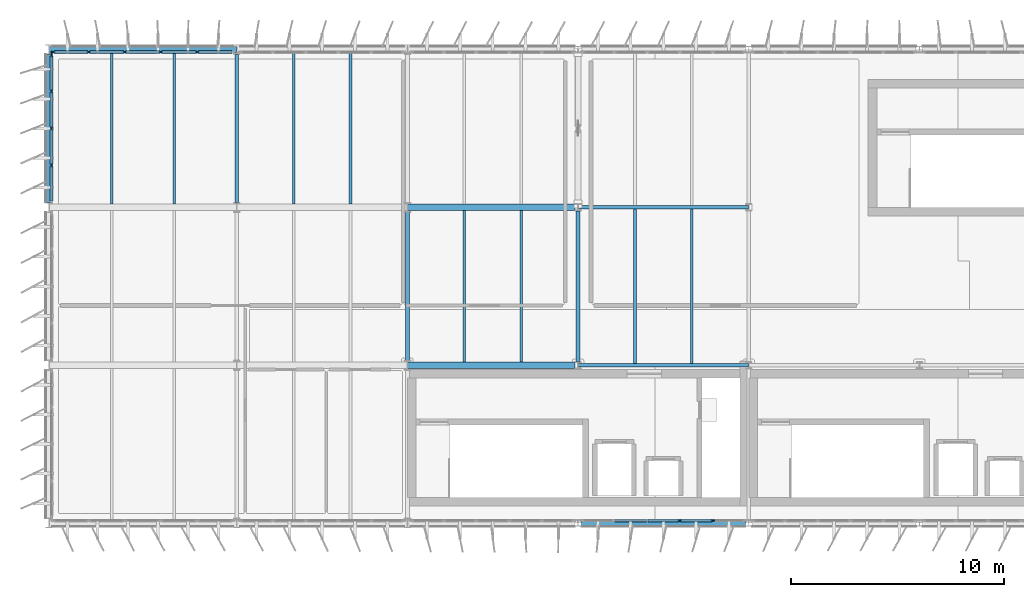
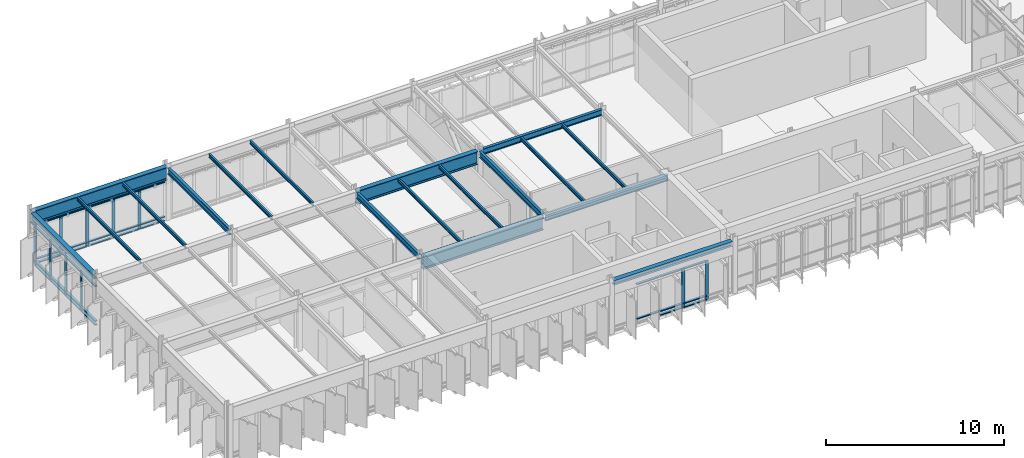
# One storey, part 5 of 20: 46 members, 18 beams, 3 elements without a shape of their own.
"""IFC4 building model written with IfcOpenShell, lengths in metres."""

from ifc_helpers import new_model, si_unit, direction, frame, origin, origin_2d, place, context, subcontext, project, spatial, rectangle, i_section, extrude, material, layer, layer_set, material_profile, profile_set, type_object, element, aggregate, save


model = new_model("IFC4")

# Units and contexts
model_context = context("Model", 3, precision=1e-05, world=origin(), true_north=direction((0.0, 1.0)))
body_context = subcontext(model_context, "Body", "Model", "MODEL_VIEW")
ifc_project = project(units=[si_unit("LENGTHUNIT", "METRE"), si_unit("AREAUNIT", "SQUARE_METRE"), si_unit("VOLUMEUNIT", "CUBIC_METRE"), si_unit("PLANEANGLEUNIT", "RADIAN"), si_unit("MASSUNIT", "GRAM", prefix="KILO")], contexts=[model_context])

# Site, building, storey
site_placement = place(None, origin())
site = spatial("IfcSite", under=ifc_project, at=site_placement, CompositionType="ELEMENT")
building_placement = place(site_placement, origin())
building = spatial("IfcBuilding", under=site, at=building_placement, Name="Valkorina Park Police Headquarters", CompositionType="ELEMENT")
storey_placement = place(building_placement, frame((0.0, 0.0, 31.10009765625)))
storey = spatial("IfcBuildingStorey", under=building, at=storey_placement, Name="L08", CompositionType="ELEMENT", Elevation=31.10009765625)

# Beams
ifc_material_1 = material(Name="Steel S355", Category="steel")
ifc_material_profile_1 = material_profile(ifc_material_1, i_section(OverallWidth=0.300048828125, OverallDepth=0.330078125, WebThickness=0.009521484375, FlangeThickness=0.0166015625, FilletRadius=0.027099609375, at=origin_2d()), Name="HEA 340")
ifc_profile_set_1 = profile_set([ifc_material_profile_1], Name="Steel S355")
beam_type_1 = type_object("IfcBeamType", Name="BM-S355-HEA340-SPN", PredefinedType="SPANDREL", material=ifc_profile_set_1)
beam_1_placement = place(storey_placement, frame((24.949951171875, 37.0, 3.454833984375), z_axis=(1.0, 0.0, 0.0), x_axis=(0.0, 1.0, 0.0)))
element("IfcBeam", 1, at=beam_1_placement, inside=storey, type_object=beam_type_1, Name="L08 Framing Beam 2796", PredefinedType="SPANDREL", context=body_context, shape_type="SweptSolid", body=[
    extrude(i_section(OverallWidth=0.300048828125, OverallDepth=0.330078125, WebThickness=0.009521484375, FlangeThickness=0.0166015625, FilletRadius=0.027099609375, at=origin_2d()), origin(), (0.0, 0.0, 1.0), 7.699951171875),
])
beam_2_placement = place(storey_placement, frame((0.0, 52.02490234375, 3.454833984375), z_axis=(0.0, 1.0, 0.0), x_axis=(-1.0, 0.0, 0.0)))
element("IfcBeam", 2, at=beam_2_placement, inside=storey, type_object=beam_type_1, Name="L08 Framing Beam 2824", PredefinedType="SPANDREL", context=body_context, shape_type="SweptSolid", body=[
    extrude(i_section(OverallWidth=0.300048828125, OverallDepth=0.330078125, WebThickness=0.009521484375, FlangeThickness=0.0166015625, FilletRadius=0.027099609375, at=origin_2d()), origin(), (0.0, 0.0, 1.0), 6.9501953125),
])
ifc_material_profile_2 = material_profile(ifc_material_1, i_section(OverallWidth=0.300048828125, OverallDepth=0.89990234375, WebThickness=0.0185546875, FlangeThickness=0.034912109375, FilletRadius=0.030029296875, at=origin_2d()), Name="HEB 900")
ifc_profile_set_2 = profile_set([ifc_material_profile_2], Name="Steel S355")
beam_type_2 = type_object("IfcBeamType", Name="BM-S355-HEB900-BM", PredefinedType="BEAM", material=ifc_profile_set_2)
for number, where, z_axis, x_axis, name in (
    (3, (16.806884765625, 44.39990234375, 3.169921875), (1.0, 0.0, 0.0), (0.0, 1.0, 0.0), "L08 Framing Beam 2802"),
    (4, (16.806884765625, 51.800048828125, 3.169921875), (1.0, 0.0, 0.0), (0.0, 1.0, 0.0), "L08 Framing Beam 2809"),
):
    element("IfcBeam", number, at=place(storey_placement, frame(where, z_axis=z_axis, x_axis=x_axis)), inside=storey, type_object=beam_type_2, Name=name, PredefinedType="BEAM", context=body_context, shape_type="SweptSolid", body=[
        extrude(i_section(OverallWidth=0.300048828125, OverallDepth=0.89990234375, WebThickness=0.0185546875, FlangeThickness=0.034912109375, FilletRadius=0.030029296875, at=origin_2d()), origin(), (0.0, 0.0, 1.0), 7.843017578125),
    ])
ifc_material_profile_3 = material_profile(ifc_material_1, i_section(OverallWidth=0.300048828125, OverallDepth=0.89990234375, WebThickness=0.0185546875, FlangeThickness=0.034912109375, FilletRadius=0.030029296875, at=origin_2d()), Name="HEB 900")
ifc_profile_set_3 = profile_set([ifc_material_profile_3], Name="Steel S355")
beam_type_3 = type_object("IfcBeamType", Name="BM-S355-HEB900-EXT", PredefinedType="SPANDREL", material=ifc_profile_set_3)
beam_3_placement = place(storey_placement, frame((0.007080078125, 59.199951171875, 3.169921875), z_axis=(1.0, 0.0, 0.0), x_axis=(0.0, 1.0, 0.0)))
element("IfcBeam", 5, at=beam_3_placement, inside=storey, type_object=beam_type_3, Name="L08 Framing Beam 2811", PredefinedType="SPANDREL", context=body_context, shape_type="SweptSolid", body=[
    extrude(i_section(OverallWidth=0.300048828125, OverallDepth=0.89990234375, WebThickness=0.0185546875, FlangeThickness=0.034912109375, FilletRadius=0.030029296875, at=origin_2d()), origin(), (0.0, 0.0, 1.0), 8.785888671875),
])
ifc_material_profile_4 = material_profile(ifc_material_1, i_section(OverallWidth=0.1201171875, OverallDepth=0.239990234375, WebThickness=0.006103515625, FlangeThickness=0.009765625, FilletRadius=0.014892578125, at=origin_2d()), Name="IPE 240")
ifc_profile_set_4 = profile_set([ifc_material_profile_4], Name="Steel S355")
beam_type_4 = type_object("IfcBeamType", Name="BM-S355-IPE240-JST", PredefinedType="JOIST", material=ifc_profile_set_4)
for number, where, z_axis, x_axis, name in (
    (6, (2.933349609375, 51.949951171875, 3.5), (0.0, 1.0, 0.0), (-1.0, 0.0, 0.0), "L08 Framing Beam 2825"),
    (7, (5.86669921875, 51.949951171875, 3.5), (0.0, 1.0, 0.0), (-1.0, 0.0, 0.0), "L08 Framing Beam 2826"),
    (8, (11.466796875, 51.949951171875, 3.5), (0.0, 1.0, 0.0), (-1.0, 0.0, 0.0), "L08 Framing Beam 2834"),
    (9, (14.13330078125, 51.949951171875, 3.5), (0.0, 1.0, 0.0), (-1.0, 0.0, 0.0), "L08 Framing Beam 2835"),
):
    element("IfcBeam", number, at=place(storey_placement, frame(where, z_axis=z_axis, x_axis=x_axis)), inside=storey, type_object=beam_type_4, Name=name, PredefinedType="JOIST", context=body_context, shape_type="SweptSolid", body=[
        extrude(i_section(OverallWidth=0.1201171875, OverallDepth=0.239990234375, WebThickness=0.006103515625, FlangeThickness=0.009765625, FilletRadius=0.014892578125, at=origin_2d()), origin(), (0.0, 0.0, 1.0), 7.10009765625),
    ])
for number, where, z_axis, x_axis, name in (
    (10, (19.466796875, 44.550048828125, 3.5), (0.0, 1.0, 0.0), (-1.0, 0.0, 0.0), "L08 Framing Beam 2838"),
    (11, (22.13330078125, 44.550048828125, 3.5), (0.0, 1.0, 0.0), (-1.0, 0.0, 0.0), "L08 Framing Beam 2839"),
):
    element("IfcBeam", number, at=place(storey_placement, frame(where, z_axis=z_axis, x_axis=x_axis)), inside=storey, type_object=beam_type_4, Name=name, PredefinedType="JOIST", context=body_context, shape_type="SweptSolid", body=[
        extrude(i_section(OverallWidth=0.1201171875, OverallDepth=0.239990234375, WebThickness=0.006103515625, FlangeThickness=0.009765625, FilletRadius=0.014892578125, at=origin_2d()), origin(), (0.0, 0.0, 1.0), 7.099853515625),
    ])
for number, where, z_axis, x_axis, name in (
    (12, (27.466796875, 44.489990234375, 3.5), (0.0, 1.0, 0.0), (-1.0, 0.0, 0.0), "L08 Framing Beam 2844"),
    (13, (30.13330078125, 44.489990234375, 3.5), (0.0, 1.0, 0.0), (-1.0, 0.0, 0.0), "L08 Framing Beam 2845"),
):
    element("IfcBeam", number, at=place(storey_placement, frame(where, z_axis=z_axis, x_axis=x_axis)), inside=storey, type_object=beam_type_4, Name=name, PredefinedType="JOIST", context=body_context, shape_type="SweptSolid", body=[
        extrude(i_section(OverallWidth=0.1201171875, OverallDepth=0.239990234375, WebThickness=0.006103515625, FlangeThickness=0.009765625, FilletRadius=0.014892578125, at=origin_2d()), origin(), (0.0, 0.0, 1.0), 7.219970703125),
    ])
ifc_material_profile_5 = material_profile(ifc_material_1, i_section(OverallWidth=0.179931640625, OverallDepth=0.39990234375, WebThickness=0.008544921875, FlangeThickness=0.013427734375, FilletRadius=0.02099609375, at=origin_2d()), Name="IPE 400")
ifc_profile_set_5 = profile_set([ifc_material_profile_5], Name="Steel S355")
beam_type_5 = type_object("IfcBeamType", Name="BM-S355-IPE400-BM", PredefinedType="BEAM", material=ifc_profile_set_5)
for number, where, z_axis, x_axis, name in (
    (14, (24.8046875, 44.39990234375, 3.419921875), (1.0, 0.0, 0.0), (0.0, 1.0, 0.0), "L08 Framing Beam 2803"),
    (15, (24.8046875, 51.800048828125, 3.419921875), (1.0, 0.0, 0.0), (0.0, 1.0, 0.0), "L08 Framing Beam 2810"),
):
    element("IfcBeam", number, at=place(storey_placement, frame(where, z_axis=z_axis, x_axis=x_axis)), inside=storey, type_object=beam_type_5, Name=name, PredefinedType="BEAM", context=body_context, shape_type="SweptSolid", body=[
        extrude(i_section(OverallWidth=0.179931640625, OverallDepth=0.39990234375, WebThickness=0.008544921875, FlangeThickness=0.013427734375, FilletRadius=0.02099609375, at=origin_2d()), origin(), (0.0, 0.0, 1.0), 7.99072265625),
    ])
beam_4_placement = place(storey_placement, frame((8.800048828125, 52.02490234375, 3.419921875), z_axis=(0.0, 1.0, 0.0), x_axis=(-1.0, 0.0, 0.0)))
element("IfcBeam", 16, at=beam_4_placement, inside=storey, type_object=beam_type_5, Name="L08 Framing Beam 2833", PredefinedType="BEAM", context=body_context, shape_type="SweptSolid", body=[
    extrude(i_section(OverallWidth=0.179931640625, OverallDepth=0.39990234375, WebThickness=0.008544921875, FlangeThickness=0.013427734375, FilletRadius=0.02099609375, at=origin_2d()), origin(), (0.0, 0.0, 1.0), 6.9501953125),
])
beam_5_placement = place(storey_placement, frame((16.800048828125, 44.625, 3.419921875), z_axis=(0.0, 1.0, 0.0), x_axis=(-1.0, 0.0, 0.0)))
element("IfcBeam", 17, at=beam_5_placement, inside=storey, type_object=beam_type_5, Name="L08 Framing Beam 2837", PredefinedType="BEAM", context=body_context, shape_type="SweptSolid", body=[
    extrude(i_section(OverallWidth=0.179931640625, OverallDepth=0.39990234375, WebThickness=0.008544921875, FlangeThickness=0.013427734375, FilletRadius=0.02099609375, at=origin_2d()), origin(), (0.0, 0.0, 1.0), 6.949951171875),
])
beam_6_placement = place(storey_placement, frame((24.800048828125, 44.56494140625, 3.419921875), z_axis=(0.0, 1.0, 0.0), x_axis=(-1.0, 0.0, 0.0)))
element("IfcBeam", 18, at=beam_6_placement, inside=storey, type_object=beam_type_5, Name="L08 Framing Beam 2843", PredefinedType="BEAM", context=body_context, shape_type="SweptSolid", body=[
    extrude(i_section(OverallWidth=0.179931640625, OverallDepth=0.39990234375, WebThickness=0.008544921875, FlangeThickness=0.013427734375, FilletRadius=0.02099609375, at=origin_2d()), origin(), (0.0, 0.0, 1.0), 7.070068359375),
])

# Curtain wall, members
ifc_material_2 = material(Name="Thermally broken aluminium AW-6060", Category="aluminium")
ifc_layer_1 = layer(ifc_material_2, 0.18994140625)
ifc_layer_set_1 = layer_set([ifc_layer_1], Name="Thermally broken aluminium AW-6060")
curtain_wall_type_1 = type_object("IfcCurtainWallType", Name="CW-V5-7680x2710", PredefinedType="NOTDEFINED", material=ifc_layer_set_1)
curtain_wall_1_placement = place(storey_placement, origin())
curtain_wall_1 = element("IfcCurtainWall", 19, at=curtain_wall_1_placement, inside=storey, type_object=curtain_wall_type_1, Name="L08 Unitised Curtain Wall 159", PredefinedType="NOTDEFINED")
ifc_material_profile_6 = material_profile(ifc_material_2, rectangle(XDim=0.070068359375, YDim=0.18994140625, at=origin_2d()), Name="CWM-02 70x190")
ifc_profile_set_6 = profile_set([ifc_material_profile_6], Name="Thermally broken aluminium AW-6060")
member_type_1 = type_object("IfcMemberType", Name="CWM-70x190", PredefinedType="MULLION", material=ifc_profile_set_6)
member_1_placement = place(storey_placement, frame((31.10400390625, 37.1201171875, 0.0), z_axis=(0.0, 0.0, 1.0), x_axis=(0.0, -1.0, 0.0)))
member_1 = element("IfcMember", 20, at=member_1_placement, type_object=member_type_1, Name="CW-V5-768-271 mullion 2", PredefinedType="MULLION", context=body_context, shape_type="SweptSolid", body=[
    extrude(rectangle(XDim=0.070068359375, YDim=0.18994140625, at=origin_2d()), origin(), (0.0, 0.0, 1.0), 2.7099609375),
])
member_2_placement = place(storey_placement, frame((29.568115234375, 37.1201171875, 0.0), z_axis=(0.0, 0.0, 1.0), x_axis=(0.0, -1.0, 0.0)))
member_2 = element("IfcMember", 21, at=member_2_placement, type_object=member_type_1, Name="CW-V5-768-271 mullion 3", PredefinedType="MULLION", context=body_context, shape_type="SweptSolid", body=[
    extrude(rectangle(XDim=0.070068359375, YDim=0.18994140625, at=origin_2d()), origin(), (0.0, 0.0, 1.0), 2.7099609375),
])

ifc_layer_2 = layer(ifc_material_2, 0.18994140625)
ifc_layer_set_2 = layer_set([ifc_layer_2], Name="Thermally broken aluminium AW-6060")
curtain_wall_type_2 = type_object("IfcCurtainWallType", Name="CW-V5-6930x2710", PredefinedType="NOTDEFINED", material=ifc_layer_set_2)
curtain_wall_2_placement = place(storey_placement, origin())
curtain_wall_2 = element("IfcCurtainWall", 22, at=curtain_wall_2_placement, inside=storey, type_object=curtain_wall_type_2, Name="L08 Unitised Curtain Wall 165", PredefinedType="NOTDEFINED")
member_3_placement = place(storey_placement, frame((0.1201171875, 53.767578125, 0.0), z_axis=(0.0, 0.0, 1.0), x_axis=(-1.0, 0.0, 0.0)))
member_3 = element("IfcMember", 23, at=member_3_placement, type_object=member_type_1, Name="CW-V5-693-271 mullion 2", PredefinedType="MULLION", context=body_context, shape_type="SweptSolid", body=[
    extrude(rectangle(XDim=0.070068359375, YDim=0.18994140625, at=origin_2d()), origin(), (0.0, 0.0, 1.0), 2.7099609375),
])
member_4_placement = place(storey_placement, frame((0.1201171875, 55.5, 0.0), z_axis=(0.0, 0.0, 1.0), x_axis=(-1.0, 0.0, 0.0)))
member_4 = element("IfcMember", 24, at=member_4_placement, type_object=member_type_1, Name="CW-V5-693-271 mullion 3", PredefinedType="MULLION", context=body_context, shape_type="SweptSolid", body=[
    extrude(rectangle(XDim=0.070068359375, YDim=0.18994140625, at=origin_2d()), origin(), (0.0, 0.0, 1.0), 2.7099609375),
])
member_5_placement = place(storey_placement, frame((0.1201171875, 57.232421875, 0.0), z_axis=(0.0, 0.0, 1.0), x_axis=(-1.0, 0.0, 0.0)))
member_5 = element("IfcMember", 25, at=member_5_placement, type_object=member_type_1, Name="CW-V5-693-271 mullion 4", PredefinedType="MULLION", context=body_context, shape_type="SweptSolid", body=[
    extrude(rectangle(XDim=0.070068359375, YDim=0.18994140625, at=origin_2d()), origin(), (0.0, 0.0, 1.0), 2.7099609375),
])
member_6_placement = place(storey_placement, frame((0.1201171875, 58.929931640625, 0.0), z_axis=(0.0, 0.0, 1.0), x_axis=(-1.0, 0.0, 0.0)))
member_6 = element("IfcMember", 26, at=member_6_placement, type_object=member_type_1, Name="CW-V5-693-271 mullion 5", PredefinedType="MULLION", context=body_context, shape_type="SweptSolid", body=[
    extrude(rectangle(XDim=0.070068359375, YDim=0.18994140625, at=origin_2d()), origin(), (0.0, 0.0, 1.0), 2.7099609375),
])

ifc_layer_3 = layer(ifc_material_2, 0.18994140625)
ifc_layer_set_3 = layer_set([ifc_layer_3], Name="Thermally broken aluminium AW-6060")
curtain_wall_type_3 = type_object("IfcCurtainWallType", Name="CW-V5-8480x2710", PredefinedType="NOTDEFINED", material=ifc_layer_set_3)
curtain_wall_3_placement = place(storey_placement, origin())
curtain_wall_3 = element("IfcCurtainWall", 27, at=curtain_wall_3_placement, inside=storey, type_object=curtain_wall_type_3, Name="L08 Unitised Curtain Wall 166", PredefinedType="NOTDEFINED")
member_7_placement = place(storey_placement, frame((0.195068359375, 59.080078125, 0.0), z_axis=(0.0, 0.0, 1.0), x_axis=(0.0, 1.0, 0.0)))
member_7 = element("IfcMember", 28, at=member_7_placement, type_object=member_type_1, Name="CW-V5-848-271 mullion 1", PredefinedType="MULLION", context=body_context, shape_type="SweptSolid", body=[
    extrude(rectangle(XDim=0.070068359375, YDim=0.18994140625, at=origin_2d()), origin(), (0.0, 0.0, 1.0), 2.7099609375),
])
member_8_placement = place(storey_placement, frame((1.85595703125, 59.080078125, 0.0), z_axis=(0.0, 0.0, 1.0), x_axis=(0.0, 1.0, 0.0)))
member_8 = element("IfcMember", 29, at=member_8_placement, type_object=member_type_1, Name="CW-V5-848-271 mullion 2", PredefinedType="MULLION", context=body_context, shape_type="SweptSolid", body=[
    extrude(rectangle(XDim=0.070068359375, YDim=0.18994140625, at=origin_2d()), origin(), (0.0, 0.0, 1.0), 2.7099609375),
])
member_9_placement = place(storey_placement, frame((3.552001953125, 59.080078125, 0.0), z_axis=(0.0, 0.0, 1.0), x_axis=(0.0, 1.0, 0.0)))
member_9 = element("IfcMember", 30, at=member_9_placement, type_object=member_type_1, Name="CW-V5-848-271 mullion 3", PredefinedType="MULLION", context=body_context, shape_type="SweptSolid", body=[
    extrude(rectangle(XDim=0.070068359375, YDim=0.18994140625, at=origin_2d()), origin(), (0.0, 0.0, 1.0), 2.7099609375),
])
member_10_placement = place(storey_placement, frame((5.248046875, 59.080078125, 0.0), z_axis=(0.0, 0.0, 1.0), x_axis=(0.0, 1.0, 0.0)))
member_10 = element("IfcMember", 31, at=member_10_placement, type_object=member_type_1, Name="CW-V5-848-271 mullion 4", PredefinedType="MULLION", context=body_context, shape_type="SweptSolid", body=[
    extrude(rectangle(XDim=0.070068359375, YDim=0.18994140625, at=origin_2d()), origin(), (0.0, 0.0, 1.0), 2.7099609375),
])
member_11_placement = place(storey_placement, frame((6.944091796875, 59.080078125, 0.0), z_axis=(0.0, 0.0, 1.0), x_axis=(0.0, 1.0, 0.0)))
member_11 = element("IfcMember", 32, at=member_11_placement, type_object=member_type_1, Name="CW-V5-848-271 mullion 5", PredefinedType="MULLION", context=body_context, shape_type="SweptSolid", body=[
    extrude(rectangle(XDim=0.070068359375, YDim=0.18994140625, at=origin_2d()), origin(), (0.0, 0.0, 1.0), 2.7099609375),
])

# Member
ifc_material_profile_7 = material_profile(ifc_material_2, rectangle(XDim=0.14990234375, YDim=0.070068359375, at=origin_2d()), Name="CWT-02 150x70")
ifc_profile_set_7 = profile_set([ifc_material_profile_7], Name="Thermally broken aluminium AW-6060")
member_type_2 = type_object("IfcMemberType", Name="CWT-150x70", PredefinedType="USERDEFINED", material=ifc_profile_set_7)
member_12_placement = place(storey_placement, frame((31.069091796875, 37.1201171875, 0.034912109375), z_axis=(-1.0, 0.0, 0.0), x_axis=(0.0, -1.0, 0.0)))
member_12 = element("IfcMember", 33, at=member_12_placement, type_object=member_type_2, Name="CW-V5-768-271 transom 2.1", ObjectType="TRANSOM", PredefinedType="USERDEFINED", context=body_context, shape_type="SweptSolid", body=[
    extrude(rectangle(XDim=0.14990234375, YDim=0.070068359375, at=origin_2d()), origin(), (0.0, 0.0, 1.0), 1.466064453125),
])

member_13_placement = place(storey_placement, frame((31.069091796875, 37.1201171875, 0.2998046875), z_axis=(-1.0, 0.0, 0.0), x_axis=(0.0, -1.0, 0.0)))
member_13 = element("IfcMember", 34, at=member_13_placement, type_object=member_type_2, Name="CW-V5-768-271 transom 2.2", ObjectType="TRANSOM", PredefinedType="USERDEFINED", context=body_context, shape_type="SweptSolid", body=[
    extrude(rectangle(XDim=0.14990234375, YDim=0.070068359375, at=origin_2d()), origin(), (0.0, 0.0, 1.0), 1.466064453125),
])

member_14_placement = place(storey_placement, frame((31.069091796875, 37.1201171875, 2.6748046875), z_axis=(-1.0, 0.0, 0.0), x_axis=(0.0, -1.0, 0.0)))
member_14 = element("IfcMember", 35, at=member_14_placement, type_object=member_type_2, Name="CW-V5-768-271 transom 2.3", ObjectType="TRANSOM", PredefinedType="USERDEFINED", context=body_context, shape_type="SweptSolid", body=[
    extrude(rectangle(XDim=0.14990234375, YDim=0.070068359375, at=origin_2d()), origin(), (0.0, 0.0, 1.0), 1.466064453125),
])

member_15_placement = place(storey_placement, frame((29.532958984375, 37.1201171875, 0.034912109375), z_axis=(-1.0, 0.0, 0.0), x_axis=(0.0, -1.0, 0.0)))
member_15 = element("IfcMember", 36, at=member_15_placement, type_object=member_type_2, Name="CW-V5-768-271 transom 3.1", ObjectType="TRANSOM", PredefinedType="USERDEFINED", context=body_context, shape_type="SweptSolid", body=[
    extrude(rectangle(XDim=0.14990234375, YDim=0.070068359375, at=origin_2d()), origin(), (0.0, 0.0, 1.0), 1.466064453125),
])

member_16_placement = place(storey_placement, frame((29.532958984375, 37.1201171875, 0.2998046875), z_axis=(-1.0, 0.0, 0.0), x_axis=(0.0, -1.0, 0.0)))
member_16 = element("IfcMember", 37, at=member_16_placement, type_object=member_type_2, Name="CW-V5-768-271 transom 3.2", ObjectType="TRANSOM", PredefinedType="USERDEFINED", context=body_context, shape_type="SweptSolid", body=[
    extrude(rectangle(XDim=0.14990234375, YDim=0.070068359375, at=origin_2d()), origin(), (0.0, 0.0, 1.0), 1.466064453125),
])

member_17_placement = place(storey_placement, frame((29.532958984375, 37.1201171875, 2.6748046875), z_axis=(-1.0, 0.0, 0.0), x_axis=(0.0, -1.0, 0.0)))
member_17 = element("IfcMember", 38, at=member_17_placement, type_object=member_type_2, Name="CW-V5-768-271 transom 3.3", ObjectType="TRANSOM", PredefinedType="USERDEFINED", context=body_context, shape_type="SweptSolid", body=[
    extrude(rectangle(XDim=0.14990234375, YDim=0.070068359375, at=origin_2d()), origin(), (0.0, 0.0, 1.0), 1.466064453125),
])

member_18_placement = place(storey_placement, frame((27.9970703125, 37.1201171875, 0.2998046875), z_axis=(-1.0, 0.0, 0.0), x_axis=(0.0, -1.0, 0.0)))
member_18 = element("IfcMember", 39, at=member_18_placement, type_object=member_type_2, Name="CW-V5-768-271 transom 4.2", ObjectType="TRANSOM", PredefinedType="USERDEFINED", context=body_context, shape_type="SweptSolid", body=[
    extrude(rectangle(XDim=0.14990234375, YDim=0.070068359375, at=origin_2d()), origin(), (0.0, 0.0, 1.0), 1.466064453125),
])

member_19_placement = place(storey_placement, frame((27.9970703125, 37.1201171875, 2.6748046875), z_axis=(-1.0, 0.0, 0.0), x_axis=(0.0, -1.0, 0.0)))
member_19 = element("IfcMember", 40, at=member_19_placement, type_object=member_type_2, Name="CW-V5-768-271 transom 4.3", ObjectType="TRANSOM", PredefinedType="USERDEFINED", context=body_context, shape_type="SweptSolid", body=[
    extrude(rectangle(XDim=0.14990234375, YDim=0.070068359375, at=origin_2d()), origin(), (0.0, 0.0, 1.0), 1.466064453125),
])

aggregate(curtain_wall_1, [member_1, member_2, member_12, member_13, member_14, member_15, member_16, member_17, member_18, member_19])

member_20_placement = place(storey_placement, frame((0.1201171875, 52.10498046875, 0.034912109375), z_axis=(0.0, 1.0, 0.0), x_axis=(-1.0, 0.0, 0.0)))
member_20 = element("IfcMember", 41, at=member_20_placement, type_object=member_type_2, Name="CW-V5-693-271 transom 1.1", ObjectType="TRANSOM", PredefinedType="USERDEFINED", context=body_context, shape_type="SweptSolid", body=[
    extrude(rectangle(XDim=0.14990234375, YDim=0.070068359375, at=origin_2d()), origin(), (0.0, 0.0, 1.0), 1.62744140625),
])

member_21_placement = place(storey_placement, frame((0.1201171875, 52.10498046875, 0.2998046875), z_axis=(0.0, 1.0, 0.0), x_axis=(-1.0, 0.0, 0.0)))
member_21 = element("IfcMember", 42, at=member_21_placement, type_object=member_type_2, Name="CW-V5-693-271 transom 1.2", ObjectType="TRANSOM", PredefinedType="USERDEFINED", context=body_context, shape_type="SweptSolid", body=[
    extrude(rectangle(XDim=0.14990234375, YDim=0.070068359375, at=origin_2d()), origin(), (0.0, 0.0, 1.0), 1.62744140625),
])

member_22_placement = place(storey_placement, frame((0.1201171875, 52.10498046875, 2.6748046875), z_axis=(0.0, 1.0, 0.0), x_axis=(-1.0, 0.0, 0.0)))
member_22 = element("IfcMember", 43, at=member_22_placement, type_object=member_type_2, Name="CW-V5-693-271 transom 1.3", ObjectType="TRANSOM", PredefinedType="USERDEFINED", context=body_context, shape_type="SweptSolid", body=[
    extrude(rectangle(XDim=0.14990234375, YDim=0.070068359375, at=origin_2d()), origin(), (0.0, 0.0, 1.0), 1.62744140625),
])

member_23_placement = place(storey_placement, frame((0.1201171875, 53.802490234375, 0.034912109375), z_axis=(0.0, 1.0, 0.0), x_axis=(-1.0, 0.0, 0.0)))
member_23 = element("IfcMember", 44, at=member_23_placement, type_object=member_type_2, Name="CW-V5-693-271 transom 2.1", ObjectType="TRANSOM", PredefinedType="USERDEFINED", context=body_context, shape_type="SweptSolid", body=[
    extrude(rectangle(XDim=0.14990234375, YDim=0.070068359375, at=origin_2d()), origin(), (0.0, 0.0, 1.0), 1.66259765625),
])

member_24_placement = place(storey_placement, frame((0.1201171875, 53.802490234375, 0.2998046875), z_axis=(0.0, 1.0, 0.0), x_axis=(-1.0, 0.0, 0.0)))
member_24 = element("IfcMember", 45, at=member_24_placement, type_object=member_type_2, Name="CW-V5-693-271 transom 2.2", ObjectType="TRANSOM", PredefinedType="USERDEFINED", context=body_context, shape_type="SweptSolid", body=[
    extrude(rectangle(XDim=0.14990234375, YDim=0.070068359375, at=origin_2d()), origin(), (0.0, 0.0, 1.0), 1.66259765625),
])

member_25_placement = place(storey_placement, frame((0.1201171875, 53.802490234375, 2.6748046875), z_axis=(0.0, 1.0, 0.0), x_axis=(-1.0, 0.0, 0.0)))
member_25 = element("IfcMember", 46, at=member_25_placement, type_object=member_type_2, Name="CW-V5-693-271 transom 2.3", ObjectType="TRANSOM", PredefinedType="USERDEFINED", context=body_context, shape_type="SweptSolid", body=[
    extrude(rectangle(XDim=0.14990234375, YDim=0.070068359375, at=origin_2d()), origin(), (0.0, 0.0, 1.0), 1.66259765625),
])

member_26_placement = place(storey_placement, frame((0.1201171875, 55.534912109375, 0.034912109375), z_axis=(0.0, 1.0, 0.0), x_axis=(-1.0, 0.0, 0.0)))
member_26 = element("IfcMember", 47, at=member_26_placement, type_object=member_type_2, Name="CW-V5-693-271 transom 3.1", ObjectType="TRANSOM", PredefinedType="USERDEFINED", context=body_context, shape_type="SweptSolid", body=[
    extrude(rectangle(XDim=0.14990234375, YDim=0.070068359375, at=origin_2d()), origin(), (0.0, 0.0, 1.0), 1.66259765625),
])

member_27_placement = place(storey_placement, frame((0.1201171875, 55.534912109375, 0.2998046875), z_axis=(0.0, 1.0, 0.0), x_axis=(-1.0, 0.0, 0.0)))
member_27 = element("IfcMember", 48, at=member_27_placement, type_object=member_type_2, Name="CW-V5-693-271 transom 3.2", ObjectType="TRANSOM", PredefinedType="USERDEFINED", context=body_context, shape_type="SweptSolid", body=[
    extrude(rectangle(XDim=0.14990234375, YDim=0.070068359375, at=origin_2d()), origin(), (0.0, 0.0, 1.0), 1.66259765625),
])

member_28_placement = place(storey_placement, frame((0.1201171875, 55.534912109375, 2.6748046875), z_axis=(0.0, 1.0, 0.0), x_axis=(-1.0, 0.0, 0.0)))
member_28 = element("IfcMember", 49, at=member_28_placement, type_object=member_type_2, Name="CW-V5-693-271 transom 3.3", ObjectType="TRANSOM", PredefinedType="USERDEFINED", context=body_context, shape_type="SweptSolid", body=[
    extrude(rectangle(XDim=0.14990234375, YDim=0.070068359375, at=origin_2d()), origin(), (0.0, 0.0, 1.0), 1.66259765625),
])

member_29_placement = place(storey_placement, frame((0.1201171875, 57.267578125, 0.034912109375), z_axis=(0.0, 1.0, 0.0), x_axis=(-1.0, 0.0, 0.0)))
member_29 = element("IfcMember", 50, at=member_29_placement, type_object=member_type_2, Name="CW-V5-693-271 transom 4.1", ObjectType="TRANSOM", PredefinedType="USERDEFINED", context=body_context, shape_type="SweptSolid", body=[
    extrude(rectangle(XDim=0.14990234375, YDim=0.070068359375, at=origin_2d()), origin(), (0.0, 0.0, 1.0), 1.62744140625),
])

member_30_placement = place(storey_placement, frame((0.1201171875, 57.267578125, 0.2998046875), z_axis=(0.0, 1.0, 0.0), x_axis=(-1.0, 0.0, 0.0)))
member_30 = element("IfcMember", 51, at=member_30_placement, type_object=member_type_2, Name="CW-V5-693-271 transom 4.2", ObjectType="TRANSOM", PredefinedType="USERDEFINED", context=body_context, shape_type="SweptSolid", body=[
    extrude(rectangle(XDim=0.14990234375, YDim=0.070068359375, at=origin_2d()), origin(), (0.0, 0.0, 1.0), 1.62744140625),
])

member_31_placement = place(storey_placement, frame((0.1201171875, 57.267578125, 2.6748046875), z_axis=(0.0, 1.0, 0.0), x_axis=(-1.0, 0.0, 0.0)))
member_31 = element("IfcMember", 52, at=member_31_placement, type_object=member_type_2, Name="CW-V5-693-271 transom 4.3", ObjectType="TRANSOM", PredefinedType="USERDEFINED", context=body_context, shape_type="SweptSolid", body=[
    extrude(rectangle(XDim=0.14990234375, YDim=0.070068359375, at=origin_2d()), origin(), (0.0, 0.0, 1.0), 1.62744140625),
])

aggregate(curtain_wall_2, [member_3, member_4, member_5, member_6, member_20, member_21, member_22, member_23, member_24, member_25, member_26, member_27, member_28, member_29, member_30, member_31])

member_32_placement = place(storey_placement, frame((0.22998046875, 59.080078125, 0.034912109375), z_axis=(1.0, 0.0, 0.0), x_axis=(0.0, 1.0, 0.0)))
member_32 = element("IfcMember", 53, at=member_32_placement, type_object=member_type_2, Name="CW-V5-848-271 transom 1.1", ObjectType="TRANSOM", PredefinedType="USERDEFINED", context=body_context, shape_type="SweptSolid", body=[
    extrude(rectangle(XDim=0.14990234375, YDim=0.070068359375, at=origin_2d()), origin(), (0.0, 0.0, 1.0), 1.591064453125),
])

member_33_placement = place(storey_placement, frame((0.22998046875, 59.080078125, 0.2998046875), z_axis=(1.0, 0.0, 0.0), x_axis=(0.0, 1.0, 0.0)))
member_33 = element("IfcMember", 54, at=member_33_placement, type_object=member_type_2, Name="CW-V5-848-271 transom 1.2", ObjectType="TRANSOM", PredefinedType="USERDEFINED", context=body_context, shape_type="SweptSolid", body=[
    extrude(rectangle(XDim=0.14990234375, YDim=0.070068359375, at=origin_2d()), origin(), (0.0, 0.0, 1.0), 1.591064453125),
])

member_34_placement = place(storey_placement, frame((0.22998046875, 59.080078125, 2.6748046875), z_axis=(1.0, 0.0, 0.0), x_axis=(0.0, 1.0, 0.0)))
member_34 = element("IfcMember", 55, at=member_34_placement, type_object=member_type_2, Name="CW-V5-848-271 transom 1.3", ObjectType="TRANSOM", PredefinedType="USERDEFINED", context=body_context, shape_type="SweptSolid", body=[
    extrude(rectangle(XDim=0.14990234375, YDim=0.070068359375, at=origin_2d()), origin(), (0.0, 0.0, 1.0), 1.591064453125),
])

member_35_placement = place(storey_placement, frame((1.89111328125, 59.080078125, 0.034912109375), z_axis=(1.0, 0.0, 0.0), x_axis=(0.0, 1.0, 0.0)))
member_35 = element("IfcMember", 56, at=member_35_placement, type_object=member_type_2, Name="CW-V5-848-271 transom 2.1", ObjectType="TRANSOM", PredefinedType="USERDEFINED", context=body_context, shape_type="SweptSolid", body=[
    extrude(rectangle(XDim=0.14990234375, YDim=0.070068359375, at=origin_2d()), origin(), (0.0, 0.0, 1.0), 1.6259765625),
])

member_36_placement = place(storey_placement, frame((1.89111328125, 59.080078125, 0.2998046875), z_axis=(1.0, 0.0, 0.0), x_axis=(0.0, 1.0, 0.0)))
member_36 = element("IfcMember", 57, at=member_36_placement, type_object=member_type_2, Name="CW-V5-848-271 transom 2.2", ObjectType="TRANSOM", PredefinedType="USERDEFINED", context=body_context, shape_type="SweptSolid", body=[
    extrude(rectangle(XDim=0.14990234375, YDim=0.070068359375, at=origin_2d()), origin(), (0.0, 0.0, 1.0), 1.6259765625),
])

member_37_placement = place(storey_placement, frame((1.89111328125, 59.080078125, 2.6748046875), z_axis=(1.0, 0.0, 0.0), x_axis=(0.0, 1.0, 0.0)))
member_37 = element("IfcMember", 58, at=member_37_placement, type_object=member_type_2, Name="CW-V5-848-271 transom 2.3", ObjectType="TRANSOM", PredefinedType="USERDEFINED", context=body_context, shape_type="SweptSolid", body=[
    extrude(rectangle(XDim=0.14990234375, YDim=0.070068359375, at=origin_2d()), origin(), (0.0, 0.0, 1.0), 1.6259765625),
])

member_38_placement = place(storey_placement, frame((3.5869140625, 59.080078125, 0.034912109375), z_axis=(1.0, 0.0, 0.0), x_axis=(0.0, 1.0, 0.0)))
member_38 = element("IfcMember", 59, at=member_38_placement, type_object=member_type_2, Name="CW-V5-848-271 transom 3.1", ObjectType="TRANSOM", PredefinedType="USERDEFINED", context=body_context, shape_type="SweptSolid", body=[
    extrude(rectangle(XDim=0.14990234375, YDim=0.070068359375, at=origin_2d()), origin(), (0.0, 0.0, 1.0), 1.6259765625),
])

member_39_placement = place(storey_placement, frame((3.5869140625, 59.080078125, 0.2998046875), z_axis=(1.0, 0.0, 0.0), x_axis=(0.0, 1.0, 0.0)))
member_39 = element("IfcMember", 60, at=member_39_placement, type_object=member_type_2, Name="CW-V5-848-271 transom 3.2", ObjectType="TRANSOM", PredefinedType="USERDEFINED", context=body_context, shape_type="SweptSolid", body=[
    extrude(rectangle(XDim=0.14990234375, YDim=0.070068359375, at=origin_2d()), origin(), (0.0, 0.0, 1.0), 1.6259765625),
])

member_40_placement = place(storey_placement, frame((3.5869140625, 59.080078125, 2.6748046875), z_axis=(1.0, 0.0, 0.0), x_axis=(0.0, 1.0, 0.0)))
member_40 = element("IfcMember", 61, at=member_40_placement, type_object=member_type_2, Name="CW-V5-848-271 transom 3.3", ObjectType="TRANSOM", PredefinedType="USERDEFINED", context=body_context, shape_type="SweptSolid", body=[
    extrude(rectangle(XDim=0.14990234375, YDim=0.070068359375, at=origin_2d()), origin(), (0.0, 0.0, 1.0), 1.6259765625),
])

member_41_placement = place(storey_placement, frame((5.282958984375, 59.080078125, 0.034912109375), z_axis=(1.0, 0.0, 0.0), x_axis=(0.0, 1.0, 0.0)))
member_41 = element("IfcMember", 62, at=member_41_placement, type_object=member_type_2, Name="CW-V5-848-271 transom 4.1", ObjectType="TRANSOM", PredefinedType="USERDEFINED", context=body_context, shape_type="SweptSolid", body=[
    extrude(rectangle(XDim=0.14990234375, YDim=0.070068359375, at=origin_2d()), origin(), (0.0, 0.0, 1.0), 1.6259765625),
])

member_42_placement = place(storey_placement, frame((5.282958984375, 59.080078125, 0.2998046875), z_axis=(1.0, 0.0, 0.0), x_axis=(0.0, 1.0, 0.0)))
member_42 = element("IfcMember", 63, at=member_42_placement, type_object=member_type_2, Name="CW-V5-848-271 transom 4.2", ObjectType="TRANSOM", PredefinedType="USERDEFINED", context=body_context, shape_type="SweptSolid", body=[
    extrude(rectangle(XDim=0.14990234375, YDim=0.070068359375, at=origin_2d()), origin(), (0.0, 0.0, 1.0), 1.6259765625),
])

member_43_placement = place(storey_placement, frame((5.282958984375, 59.080078125, 2.6748046875), z_axis=(1.0, 0.0, 0.0), x_axis=(0.0, 1.0, 0.0)))
member_43 = element("IfcMember", 64, at=member_43_placement, type_object=member_type_2, Name="CW-V5-848-271 transom 4.3", ObjectType="TRANSOM", PredefinedType="USERDEFINED", context=body_context, shape_type="SweptSolid", body=[
    extrude(rectangle(XDim=0.14990234375, YDim=0.070068359375, at=origin_2d()), origin(), (0.0, 0.0, 1.0), 1.6259765625),
])

member_44_placement = place(storey_placement, frame((6.97900390625, 59.080078125, 0.034912109375), z_axis=(1.0, 0.0, 0.0), x_axis=(0.0, 1.0, 0.0)))
member_44 = element("IfcMember", 65, at=member_44_placement, type_object=member_type_2, Name="CW-V5-848-271 transom 5.1", ObjectType="TRANSOM", PredefinedType="USERDEFINED", context=body_context, shape_type="SweptSolid", body=[
    extrude(rectangle(XDim=0.14990234375, YDim=0.070068359375, at=origin_2d()), origin(), (0.0, 0.0, 1.0), 1.591064453125),
])

member_45_placement = place(storey_placement, frame((6.97900390625, 59.080078125, 0.2998046875), z_axis=(1.0, 0.0, 0.0), x_axis=(0.0, 1.0, 0.0)))
member_45 = element("IfcMember", 66, at=member_45_placement, type_object=member_type_2, Name="CW-V5-848-271 transom 5.2", ObjectType="TRANSOM", PredefinedType="USERDEFINED", context=body_context, shape_type="SweptSolid", body=[
    extrude(rectangle(XDim=0.14990234375, YDim=0.070068359375, at=origin_2d()), origin(), (0.0, 0.0, 1.0), 1.591064453125),
])

member_46_placement = place(storey_placement, frame((6.97900390625, 59.080078125, 2.6748046875), z_axis=(1.0, 0.0, 0.0), x_axis=(0.0, 1.0, 0.0)))
member_46 = element("IfcMember", 67, at=member_46_placement, type_object=member_type_2, Name="CW-V5-848-271 transom 5.3", ObjectType="TRANSOM", PredefinedType="USERDEFINED", context=body_context, shape_type="SweptSolid", body=[
    extrude(rectangle(XDim=0.14990234375, YDim=0.070068359375, at=origin_2d()), origin(), (0.0, 0.0, 1.0), 1.591064453125),
])

aggregate(curtain_wall_3, [member_7, member_8, member_9, member_10, member_11, member_32, member_33, member_34, member_35, member_36, member_37, member_38, member_39, member_40, member_41, member_42, member_43, member_44, member_45, member_46])

save(model, "model.ifc")
